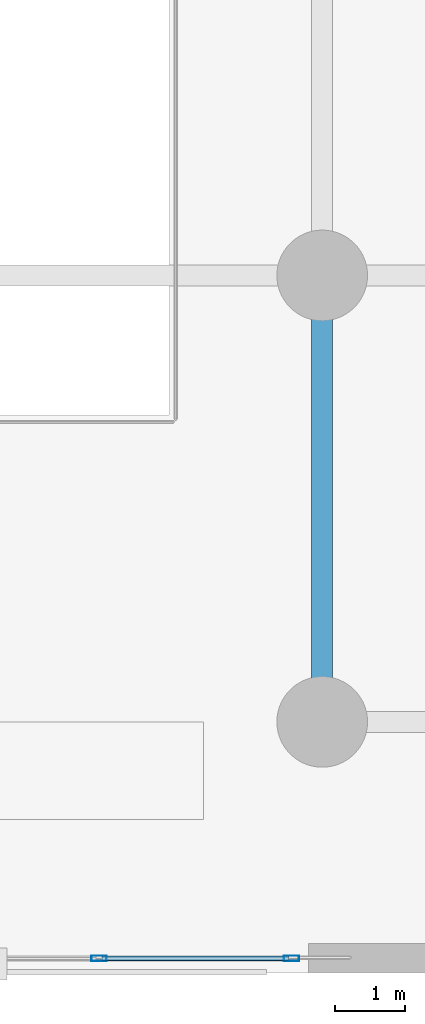
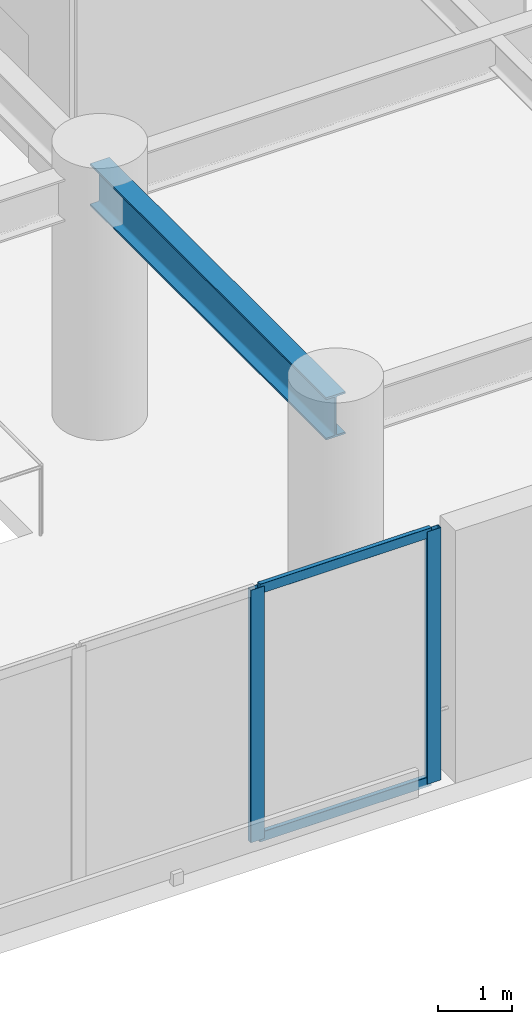
# One storey, part 4 of 32: 4 members, 1 beam, 1 element without a shape of its own.
"""IFC4 building model written with IfcOpenShell, lengths in metres."""

from ifc_helpers import new_model, si_unit, direction, frame, origin, origin_2d, place, context, subcontext, project, spatial, hollow_rectangle, i_section, extrude, material, material_profile, profile_set, type_object, element, aggregate, save


model = new_model("IFC4")

# Units and contexts
model_context = context("Model", 3, precision=1e-05, world=origin(), true_north=direction((0.0, 1.0)))
body_context = subcontext(model_context, "Body", "Model", "MODEL_VIEW")
ifc_project = project(units=[si_unit("LENGTHUNIT", "METRE"), si_unit("AREAUNIT", "SQUARE_METRE"), si_unit("VOLUMEUNIT", "CUBIC_METRE"), si_unit("PLANEANGLEUNIT", "RADIAN"), si_unit("MASSUNIT", "GRAM", prefix="KILO")], contexts=[model_context])

# Site, building, storey
site_placement = place(None, origin())
site = spatial("IfcSite", under=ifc_project, at=site_placement, CompositionType="ELEMENT")
building_placement = place(site_placement, origin())
building = spatial("IfcBuilding", under=site, at=building_placement, Name="Narakoshi Arena Tower", CompositionType="ELEMENT")
storey_placement = place(building_placement, frame((0.0, 0.0, 4.5)))
storey = spatial("IfcBuildingStorey", under=building, at=storey_placement, Name="L01", CompositionType="ELEMENT", Elevation=4.5)

# Beam
ifc_material_1 = material(Name="Structural steel S355J2", Category="steel")
ifc_material_profile_1 = material_profile(ifc_material_1, i_section(OverallWidth=0.300048828125, OverallDepth=0.699951171875, WebThickness=0.01708984375, FlangeThickness=0.031982421875, FilletRadius=0.027099609375, at=origin_2d()), Name="HE700B")
ifc_profile_set_1 = profile_set([ifc_material_profile_1], Name="Structural steel S355J2")
beam_type = type_object("IfcBeamType", Name="BM-PRI-700", PredefinedType="BEAM", material=ifc_profile_set_1)
beam_placement = place(storey_placement, frame((70.199951171875, 3.60009765625, 3.830078125), z_axis=(0.0, 1.0, 0.0), x_axis=(-1.0, 0.0, 0.0)))
element("IfcBeam", 1, at=beam_placement, inside=storey, type_object=beam_type, Name="L01 Podium Primary Y-Girder 089", PredefinedType="BEAM", context=body_context, shape_type="SweptSolid", body=[
    extrude(i_section(OverallWidth=0.300048828125, OverallDepth=0.699951171875, WebThickness=0.01708984375, FlangeThickness=0.031982421875, FilletRadius=0.027099609375, at=origin_2d()), origin(), (0.0, 0.0, 1.0), 6.39990234375),
])

# Curtain wall, members
ifc_material_2 = material(Name="Anodised bronze aluminium 6063-T6", Category="aluminium")
curtain_wall_type = type_object("IfcCurtainWallType", Name="CW-POD-CONC", PredefinedType="NOTDEFINED", material=ifc_material_2)
curtain_wall_placement = place(storey_placement, origin())
curtain_wall = element("IfcCurtainWall", 2, at=curtain_wall_placement, inside=storey, type_object=curtain_wall_type, Name="L01 Street Concourse Curtain Wall CS2", PredefinedType="NOTDEFINED")
ifc_material_profile_2 = material_profile(ifc_material_2, hollow_rectangle(XDim=0.080078125, YDim=0.219970703125, WallThickness=0.0048828125, OuterFilletRadius=0.006103515625, at=origin_2d()), Name="MUL220x80x5")
ifc_profile_set_2 = profile_set([ifc_material_profile_2], Name="Anodised bronze aluminium 6063-T6")
member_type_1 = type_object("IfcMemberType", Name="MEM-MUL-220", PredefinedType="MULLION", material=ifc_profile_set_2)
member_1_placement = place(storey_placement, frame((67.0, 0.2099609375, 0.0), z_axis=(0.0, 0.0, 1.0), x_axis=(0.0, 1.0, 0.0)))
member_1 = element("IfcMember", 3, at=member_1_placement, type_object=member_type_1, Name="CW-04 mullion 3", PredefinedType="MULLION", context=body_context, shape_type="SweptSolid", body=[
    extrude(hollow_rectangle(XDim=0.080078125, YDim=0.219970703125, WallThickness=0.0048828125, OuterFilletRadius=0.006103515625, at=origin_2d()), origin(), (0.0, 0.0, 1.0), 4.179931640625),
])
member_2_placement = place(storey_placement, frame((69.760009765625, 0.2099609375, 0.0), z_axis=(0.0, 0.0, 1.0), x_axis=(0.0, 1.0, 0.0)))
member_2 = element("IfcMember", 4, at=member_2_placement, type_object=member_type_1, Name="CW-04 mullion 4", PredefinedType="MULLION", context=body_context, shape_type="SweptSolid", body=[
    extrude(hollow_rectangle(XDim=0.080078125, YDim=0.219970703125, WallThickness=0.0048828125, OuterFilletRadius=0.006103515625, at=origin_2d()), origin(), (0.0, 0.0, 1.0), 4.179931640625),
])
ifc_material_profile_3 = material_profile(ifc_material_2, hollow_rectangle(XDim=0.070068359375, YDim=0.159912109375, WallThickness=0.00390625, OuterFilletRadius=0.0048828125, at=origin_2d()), Name="TRN160x70x4")
ifc_profile_set_3 = profile_set([ifc_material_profile_3], Name="Anodised bronze aluminium 6063-T6")
member_type_2 = type_object("IfcMemberType", Name="MEM-TRN-160", PredefinedType="USERDEFINED", material=ifc_profile_set_3)
member_3_placement = place(storey_placement, frame((67.0400390625, 0.2099609375, 0.034912109375), z_axis=(1.0, 0.0, 0.0), x_axis=(0.0, 1.0, 0.0)))
member_3 = element("IfcMember", 5, at=member_3_placement, type_object=member_type_2, Name="CW-04 transom 3.1", ObjectType="TRANSOM", PredefinedType="USERDEFINED", context=body_context, shape_type="SweptSolid", body=[
    extrude(hollow_rectangle(XDim=0.070068359375, YDim=0.159912109375, WallThickness=0.00390625, OuterFilletRadius=0.0048828125, at=origin_2d()), origin(), (0.0, 0.0, 1.0), 2.679931640625),
])
member_4_placement = place(storey_placement, frame((67.0400390625, 0.2099609375, 4.14501953125), z_axis=(1.0, 0.0, 0.0), x_axis=(0.0, 1.0, 0.0)))
member_4 = element("IfcMember", 6, at=member_4_placement, type_object=member_type_2, Name="CW-04 transom 3.2", ObjectType="TRANSOM", PredefinedType="USERDEFINED", context=body_context, shape_type="SweptSolid", body=[
    extrude(hollow_rectangle(XDim=0.070068359375, YDim=0.159912109375, WallThickness=0.00390625, OuterFilletRadius=0.0048828125, at=origin_2d()), origin(), (0.0, 0.0, 1.0), 2.679931640625),
])
aggregate(curtain_wall, [member_1, member_2, member_3, member_4])

save(model, "model.ifc")
